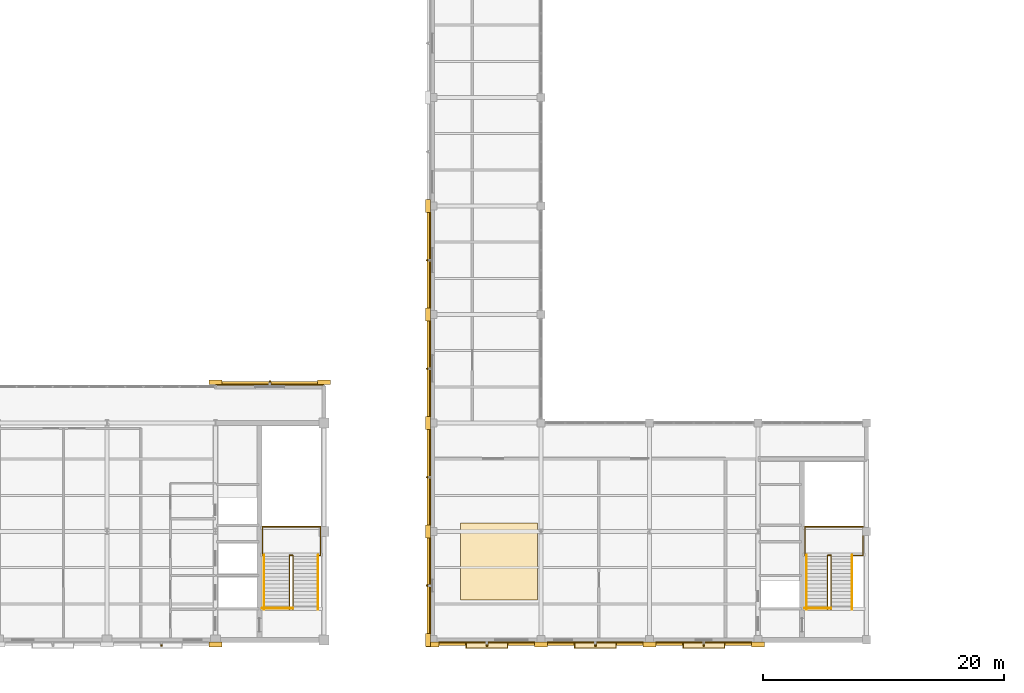
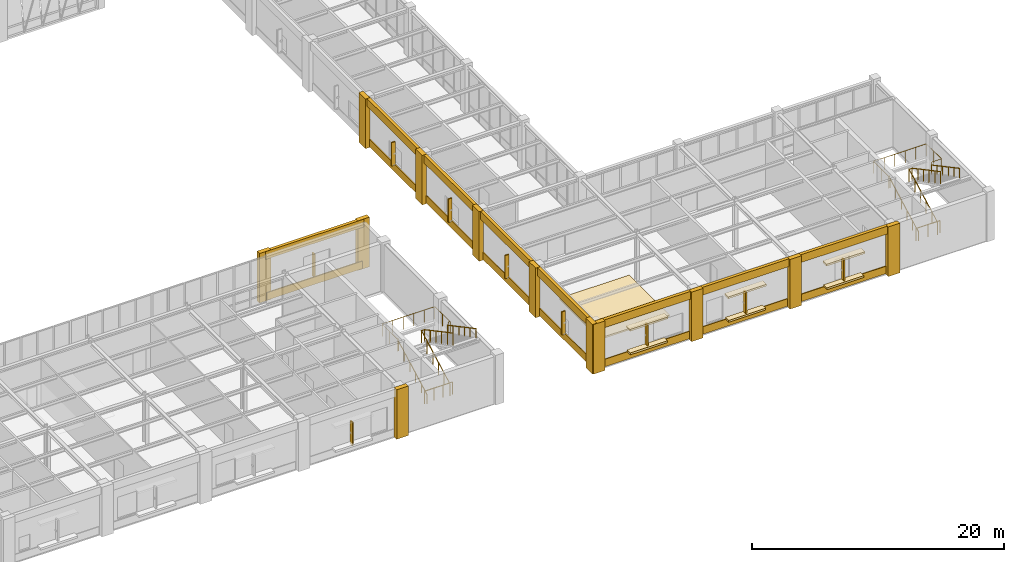
# One storey, part 94 of 98: 35 coverings, 10 railings, 9 shading devices.
"""IFC4 building model written with IfcOpenShell, lengths in metres."""

from ifc_helpers import new_model, si_unit, direction, frame, origin, origin_2d, place, context, subcontext, project, spatial, rectangle, circle, extrude, material, layer, layer_set, type_object, element, save


model = new_model("IFC4")

# Units and contexts
model_context = context("Model", 3, precision=1e-05, world=origin(), true_north=direction((0.0, 1.0)))
body_context = subcontext(model_context, "Body", "Model", "MODEL_VIEW")
ifc_project = project(units=[si_unit("LENGTHUNIT", "METRE"), si_unit("AREAUNIT", "SQUARE_METRE"), si_unit("VOLUMEUNIT", "CUBIC_METRE"), si_unit("PLANEANGLEUNIT", "RADIAN"), si_unit("MASSUNIT", "GRAM", prefix="KILO")], contexts=[model_context])

# Site, building, storey
site_placement = place(None, origin())
site = spatial("IfcSite", under=ifc_project, at=site_placement, CompositionType="ELEMENT")
building_placement = place(site_placement, origin())
building = spatial("IfcBuilding", under=site, at=building_placement, Name="Lykobir Media Centre", CompositionType="ELEMENT")
storey_placement = place(building_placement, frame((0.0, 0.0, 10.199951171875)))
storey = spatial("IfcBuildingStorey", under=building, at=storey_placement, Name="L02", CompositionType="ELEMENT", Elevation=10.199951171875)

# Coverings
ifc_material_1 = material(Name="Glazed Turquoise Terracotta", Category="masonry")
ifc_layer_1 = layer(ifc_material_1, 0.0400390625, Name="Glazed Turquoise Terracotta")
ifc_layer_set_1 = layer_set([ifc_layer_1], Name="Glazed Turquoise Terracotta")
covering_type_1 = type_object("IfcCoveringType", Name="CLD-TERR", PredefinedType="CLADDING", material=ifc_layer_set_1)
covering_1_placement = place(storey_placement, frame((76.5, 21.180908203125, 0.080078125), z_axis=(0.0, 0.0, 1.0), x_axis=(-1.0, 0.0, 0.0)))
element("IfcCovering", 1, at=covering_1_placement, inside=storey, type_object=covering_type_1, Name="Facade spandrel apron 331", PredefinedType="CLADDING", context=body_context, shape_type="SweptSolid", body=[
    extrude(rectangle(XDim=8.75, YDim=0.10009765625, at=origin_2d()), origin(), (0.0, 0.0, 1.0), 0.719970703125),
])
for number, where, z_axis, x_axis, name in (
    (2, (89.819091796875, 22.5, 0.080078125), (0.0, 0.0, 1.0), (0.0, -1.0, 0.0), "Facade spandrel apron 381"),
    (3, (89.819091796875, 31.5, 0.080078125), (0.0, 0.0, 1.0), (0.0, -1.0, 0.0), "Facade spandrel apron 384"),
    (4, (89.819091796875, 4.5, 0.080078125), (0.0, 0.0, 1.0), (0.0, -1.0, 0.0), "Facade spandrel apron 400"),
    (5, (89.819091796875, 13.5, 0.080078125), (0.0, 0.0, 1.0), (0.0, -1.0, 0.0), "Facade spandrel apron 402"),
    (6, (94.5, -0.180908203125, 0.080078125), (0.0, 0.0, 1.0), (1.0, 0.0, 0.0), "Facade spandrel apron 406"),
    (7, (103.5, -0.180908203125, 0.080078125), (0.0, 0.0, 1.0), (1.0, 0.0, 0.0), "Facade spandrel apron 411"),
    (8, (112.5, -0.180908203125, 0.080078125), (0.0, 0.0, 1.0), (1.0, 0.0, 0.0), "Facade spandrel apron 416"),
):
    element("IfcCovering", number, at=place(storey_placement, frame(where, z_axis=z_axis, x_axis=x_axis)), inside=storey, type_object=covering_type_1, Name=name, PredefinedType="CLADDING", context=body_context, shape_type="SweptSolid", body=[
        extrude(rectangle(XDim=7.929931640625, YDim=0.10009765625, at=origin_2d()), origin(), (0.0, 0.0, 1.0), 0.719970703125),
    ])
ifc_material_2 = material(Name="Honed Travertine Stone", Category="masonry")
ifc_layer_2 = layer(ifc_material_2, 0.050048828125, Name="Honed Travertine Stone")
ifc_layer_set_2 = layer_set([ifc_layer_2], Name="Honed Travertine Stone")
covering_type_2 = type_object("IfcCoveringType", Name="CLD-TRAV", PredefinedType="CLADDING", material=ifc_layer_set_2)
for number, where, z_axis, x_axis, name in (
    (9, (72.0, -0.3798828125, 0.0), (0.0, 0.0, 1.0), (1.0, 0.0, 0.0), "Travertine column pier 323"),
    (10, (81.0, 21.3798828125, 0.0), (0.0, 0.0, 1.0), (-1.0, 0.0, 0.0), "Travertine column pier 328"),
    (11, (72.0, 21.3798828125, 0.0), (0.0, 0.0, 1.0), (-1.0, 0.0, 0.0), "Travertine column pier 329"),
):
    element("IfcCovering", number, at=place(storey_placement, frame(where, z_axis=z_axis, x_axis=x_axis)), inside=storey, type_object=covering_type_2, Name=name, PredefinedType="CLADDING", context=body_context, shape_type="SweptSolid", body=[
        extrude(rectangle(XDim=1.06005859375, YDim=0.39990234375, at=origin_2d()), origin(), (0.0, 0.0, 1.0), 4.800048828125),
    ])
covering_2_placement = place(storey_placement, frame((76.5, 21.300048828125, 4.0400390625), z_axis=(0.0, 0.0, 1.0), x_axis=(-1.0, 0.0, 0.0)))
element("IfcCovering", 12, at=covering_2_placement, inside=storey, type_object=covering_type_2, Name="Travertine spandrel stringcourse 330", PredefinedType="CLADDING", context=body_context, shape_type="SweptSolid", body=[
    extrude(rectangle(XDim=9.0, YDim=0.280029296875, at=origin_2d()), origin(), (0.0, 0.0, 1.0), 0.760009765625),
])
for number, where, z_axis, x_axis, name in (
    (13, (89.6201171875, 27.0, 0.0), (0.0, 0.0, 1.0), (0.0, -1.0, 0.0), "Travertine column pier 378"),
    (14, (89.6201171875, 18.0, 0.0), (0.0, 0.0, 1.0), (0.0, -1.0, 0.0), "Travertine column pier 379"),
):
    element("IfcCovering", number, at=place(storey_placement, frame(where, z_axis=z_axis, x_axis=x_axis)), inside=storey, type_object=covering_type_2, Name=name, PredefinedType="CLADDING", context=body_context, shape_type="SweptSolid", body=[
        extrude(rectangle(XDim=1.06005859375, YDim=0.39990234375, at=origin_2d()), origin(), (0.0, 0.0, 1.0), 4.800048828125),
    ])
covering_3_placement = place(storey_placement, frame((89.699951171875, 22.5, 4.0400390625), z_axis=(0.0, 0.0, 1.0), x_axis=(0.0, -1.0, 0.0)))
element("IfcCovering", 15, at=covering_3_placement, inside=storey, type_object=covering_type_2, Name="Travertine spandrel stringcourse 380", PredefinedType="CLADDING", context=body_context, shape_type="SweptSolid", body=[
    extrude(rectangle(XDim=9.0, YDim=0.280029296875, at=origin_2d()), origin(), (0.0, 0.0, 1.0), 0.760009765625),
])
covering_4_placement = place(storey_placement, frame((89.6201171875, 36.0, 0.0), z_axis=(0.0, 0.0, 1.0), x_axis=(0.0, -1.0, 0.0)))
element("IfcCovering", 16, at=covering_4_placement, inside=storey, type_object=covering_type_2, Name="Travertine column pier 382", PredefinedType="CLADDING", context=body_context, shape_type="SweptSolid", body=[
    extrude(rectangle(XDim=1.06005859375, YDim=0.39990234375, at=origin_2d()), origin(), (0.0, 0.0, 1.0), 4.800048828125),
])
covering_5_placement = place(storey_placement, frame((89.699951171875, 31.5, 4.0400390625), z_axis=(0.0, 0.0, 1.0), x_axis=(0.0, -1.0, 0.0)))
element("IfcCovering", 17, at=covering_5_placement, inside=storey, type_object=covering_type_2, Name="Travertine spandrel stringcourse 383", PredefinedType="CLADDING", context=body_context, shape_type="SweptSolid", body=[
    extrude(rectangle(XDim=9.0, YDim=0.280029296875, at=origin_2d()), origin(), (0.0, 0.0, 1.0), 0.760009765625),
])
for number, where, z_axis, x_axis, name in (
    (18, (89.6201171875, 9.0, 0.0), (0.0, 0.0, 1.0), (0.0, -1.0, 0.0), "Travertine column pier 397"),
    (19, (89.6201171875, 0.0, 0.0), (0.0, 0.0, 1.0), (0.0, -1.0, 0.0), "Travertine column pier 398"),
):
    element("IfcCovering", number, at=place(storey_placement, frame(where, z_axis=z_axis, x_axis=x_axis)), inside=storey, type_object=covering_type_2, Name=name, PredefinedType="CLADDING", context=body_context, shape_type="SweptSolid", body=[
        extrude(rectangle(XDim=1.06005859375, YDim=0.39990234375, at=origin_2d()), origin(), (0.0, 0.0, 1.0), 4.800048828125),
    ])
for number, where, z_axis, x_axis, name in (
    (20, (89.699951171875, 4.5, 4.0400390625), (0.0, 0.0, 1.0), (0.0, -1.0, 0.0), "Travertine spandrel stringcourse 399"),
    (21, (89.699951171875, 13.5, 4.0400390625), (0.0, 0.0, 1.0), (0.0, -1.0, 0.0), "Travertine spandrel stringcourse 401"),
):
    element("IfcCovering", number, at=place(storey_placement, frame(where, z_axis=z_axis, x_axis=x_axis)), inside=storey, type_object=covering_type_2, Name=name, PredefinedType="CLADDING", context=body_context, shape_type="SweptSolid", body=[
        extrude(rectangle(XDim=9.0, YDim=0.280029296875, at=origin_2d()), origin(), (0.0, 0.0, 1.0), 0.760009765625),
    ])
for number, where, z_axis, x_axis, name in (
    (22, (90.0, -0.3798828125, 0.0), (0.0, 0.0, 1.0), (1.0, 0.0, 0.0), "Travertine column pier 403"),
    (23, (99.0, -0.3798828125, 0.0), (0.0, 0.0, 1.0), (1.0, 0.0, 0.0), "Travertine column pier 404"),
):
    element("IfcCovering", number, at=place(storey_placement, frame(where, z_axis=z_axis, x_axis=x_axis)), inside=storey, type_object=covering_type_2, Name=name, PredefinedType="CLADDING", context=body_context, shape_type="SweptSolid", body=[
        extrude(rectangle(XDim=1.06005859375, YDim=0.39990234375, at=origin_2d()), origin(), (0.0, 0.0, 1.0), 4.800048828125),
    ])
covering_6_placement = place(storey_placement, frame((94.5, -0.300048828125, 4.0400390625), z_axis=(0.0, 0.0, 1.0), x_axis=(1.0, 0.0, 0.0)))
element("IfcCovering", 24, at=covering_6_placement, inside=storey, type_object=covering_type_2, Name="Travertine spandrel stringcourse 405", PredefinedType="CLADDING", context=body_context, shape_type="SweptSolid", body=[
    extrude(rectangle(XDim=9.0, YDim=0.280029296875, at=origin_2d()), origin(), (0.0, 0.0, 1.0), 0.760009765625),
])
covering_7_placement = place(storey_placement, frame((94.5, -0.4150390625, 0.77001953125), z_axis=(0.0, 0.0, 1.0), x_axis=(1.0, 0.0, 0.0)))
element("IfcCovering", 25, at=covering_7_placement, inside=storey, type_object=covering_type_2, Name="Ottoman Cumba sill 407", PredefinedType="CLADDING", context=body_context, shape_type="SweptSolid", body=[
    extrude(rectangle(XDim=3.39990234375, YDim=0.52001953125, at=origin_2d()), origin(), (0.0, 0.0, 1.0), 0.179931640625),
])
covering_8_placement = place(storey_placement, frame((94.5, -0.4150390625, 3.08984375), z_axis=(0.0, 0.0, 1.0), x_axis=(1.0, 0.0, 0.0)))
element("IfcCovering", 26, at=covering_8_placement, inside=storey, type_object=covering_type_2, Name="Ottoman Cumba canopy 408", PredefinedType="CLADDING", context=body_context, shape_type="SweptSolid", body=[
    extrude(rectangle(XDim=3.5, YDim=0.60009765625, at=origin_2d()), origin(), (0.0, 0.0, 1.0), 0.179931640625),
])
covering_9_placement = place(storey_placement, frame((108.0, -0.3798828125, 0.0), z_axis=(0.0, 0.0, 1.0), x_axis=(1.0, 0.0, 0.0)))
element("IfcCovering", 27, at=covering_9_placement, inside=storey, type_object=covering_type_2, Name="Travertine column pier 409", PredefinedType="CLADDING", context=body_context, shape_type="SweptSolid", body=[
    extrude(rectangle(XDim=1.06005859375, YDim=0.39990234375, at=origin_2d()), origin(), (0.0, 0.0, 1.0), 4.800048828125),
])
covering_10_placement = place(storey_placement, frame((103.5, -0.300048828125, 4.0400390625), z_axis=(0.0, 0.0, 1.0), x_axis=(1.0, 0.0, 0.0)))
element("IfcCovering", 28, at=covering_10_placement, inside=storey, type_object=covering_type_2, Name="Travertine spandrel stringcourse 410", PredefinedType="CLADDING", context=body_context, shape_type="SweptSolid", body=[
    extrude(rectangle(XDim=9.0, YDim=0.280029296875, at=origin_2d()), origin(), (0.0, 0.0, 1.0), 0.760009765625),
])
covering_11_placement = place(storey_placement, frame((103.5, -0.4150390625, 0.77001953125), z_axis=(0.0, 0.0, 1.0), x_axis=(1.0, 0.0, 0.0)))
element("IfcCovering", 29, at=covering_11_placement, inside=storey, type_object=covering_type_2, Name="Ottoman Cumba sill 412", PredefinedType="CLADDING", context=body_context, shape_type="SweptSolid", body=[
    extrude(rectangle(XDim=3.39990234375, YDim=0.52001953125, at=origin_2d()), origin(), (0.0, 0.0, 1.0), 0.179931640625),
])
covering_12_placement = place(storey_placement, frame((103.5, -0.4150390625, 3.08984375), z_axis=(0.0, 0.0, 1.0), x_axis=(1.0, 0.0, 0.0)))
element("IfcCovering", 30, at=covering_12_placement, inside=storey, type_object=covering_type_2, Name="Ottoman Cumba canopy 413", PredefinedType="CLADDING", context=body_context, shape_type="SweptSolid", body=[
    extrude(rectangle(XDim=3.5, YDim=0.60009765625, at=origin_2d()), origin(), (0.0, 0.0, 1.0), 0.179931640625),
])
covering_13_placement = place(storey_placement, frame((117.0, -0.3798828125, 0.0), z_axis=(0.0, 0.0, 1.0), x_axis=(1.0, 0.0, 0.0)))
element("IfcCovering", 31, at=covering_13_placement, inside=storey, type_object=covering_type_2, Name="Travertine column pier 414", PredefinedType="CLADDING", context=body_context, shape_type="SweptSolid", body=[
    extrude(rectangle(XDim=1.06005859375, YDim=0.39990234375, at=origin_2d()), origin(), (0.0, 0.0, 1.0), 4.800048828125),
])
covering_14_placement = place(storey_placement, frame((112.5, -0.300048828125, 4.0400390625), z_axis=(0.0, 0.0, 1.0), x_axis=(1.0, 0.0, 0.0)))
element("IfcCovering", 32, at=covering_14_placement, inside=storey, type_object=covering_type_2, Name="Travertine spandrel stringcourse 415", PredefinedType="CLADDING", context=body_context, shape_type="SweptSolid", body=[
    extrude(rectangle(XDim=9.0, YDim=0.280029296875, at=origin_2d()), origin(), (0.0, 0.0, 1.0), 0.760009765625),
])
covering_15_placement = place(storey_placement, frame((112.5, -0.4150390625, 0.77001953125), z_axis=(0.0, 0.0, 1.0), x_axis=(1.0, 0.0, 0.0)))
element("IfcCovering", 33, at=covering_15_placement, inside=storey, type_object=covering_type_2, Name="Ottoman Cumba sill 417", PredefinedType="CLADDING", context=body_context, shape_type="SweptSolid", body=[
    extrude(rectangle(XDim=3.39990234375, YDim=0.52001953125, at=origin_2d()), origin(), (0.0, 0.0, 1.0), 0.179931640625),
])
covering_16_placement = place(storey_placement, frame((112.5, -0.4150390625, 3.08984375), z_axis=(0.0, 0.0, 1.0), x_axis=(1.0, 0.0, 0.0)))
element("IfcCovering", 34, at=covering_16_placement, inside=storey, type_object=covering_type_2, Name="Ottoman Cumba canopy 418", PredefinedType="CLADDING", context=body_context, shape_type="SweptSolid", body=[
    extrude(rectangle(XDim=3.5, YDim=0.60009765625, at=origin_2d()), origin(), (0.0, 0.0, 1.0), 0.179931640625),
])
ifc_material_3 = material(Name="Acoustic Timber Panelling", Category="wood")
ifc_layer_3 = layer(ifc_material_3, 0.14990234375, Name="Acoustic Timber Panelling")
ifc_layer_set_3 = layer_set([ifc_layer_3], Name="Acoustic Timber Panelling")
covering_type_3 = type_object("IfcCoveringType", Name="COV-FLR-150", PredefinedType="FLOORING", material=ifc_layer_set_3)
covering_17_placement = place(storey_placement, frame((95.5, 6.5, 0.0), z_axis=(0.0, 0.0, 1.0), x_axis=(1.0, 0.0, 0.0)))
element("IfcCovering", 35, at=covering_17_placement, inside=storey, type_object=covering_type_3, Name="L02 floating studio acoustic floor 3", PredefinedType="FLOORING", context=body_context, shape_type="SweptSolid", body=[
    extrude(rectangle(XDim=6.39990234375, YDim=6.39990234375, at=origin_2d()), origin(), (0.0, 0.0, 1.0), 0.14990234375),
])

# Railings
ifc_material_4 = material(Name="Steel S355", Category="steel")
railing_type_1 = type_object("IfcRailingType", Name="GR-1200", PredefinedType="BALUSTRADE", material=ifc_material_4)
railing_1_placement = place(storey_placement, frame((75.8701171875, 2.6298828125, 0.0)))
element("IfcRailing", 36, at=railing_1_placement, inside=storey, type_object=railing_type_1, Name="ST-2 L02 arrival well guard", PredefinedType="BALUSTRADE", context=body_context, shape_type="SweptSolid", body=[
    extrude(circle(Radius=0.02392578125, at=origin_2d()), frame((0.0, 0.0, 1.17578125), z_axis=(1.0, 0.0, 0.0), x_axis=(0.0, 1.0, 0.0)), (0.0, 0.0, 1.0), 2.539794921875),
    extrude(circle(Radius=0.02099609375, at=origin_2d()), origin(), (0.0, 0.0, 1.0), 1.15185546875),
    extrude(circle(Radius=0.02099609375, at=origin_2d()), frame((0.8466796875, 0.0, 0.0)), (0.0, 0.0, 1.0), 1.15185546875),
    extrude(circle(Radius=0.02099609375, at=origin_2d()), frame((1.693115234375, 0.0, 0.0)), (0.0, 0.0, 1.0), 1.15185546875),
    extrude(circle(Radius=0.02099609375, at=origin_2d()), frame((2.539794921875, 0.0, 0.0)), (0.0, 0.0, 1.0), 1.15185546875),
])
railing_2_placement = place(storey_placement, frame((78.1298828125, 2.530029296875, 0.0)))
element("IfcRailing", 37, at=railing_2_placement, inside=storey, type_object=railing_type_1, Name="ST-2 L02 inner well and slot guard", PredefinedType="BALUSTRADE", context=body_context, shape_type="SweptSolid", body=[
    extrude(circle(Radius=0.02392578125, at=origin_2d()), frame((0.0, 0.0, 1.17578125), z_axis=(0.0, 0.882341014787, 0.470610596591), x_axis=(-1.0, 0.0, 0.0)), (0.0, 0.0, 1.0), 5.10009765625),
    extrude(circle(Radius=0.02392578125, at=origin_2d()), frame((0.0, 4.5, 3.576171875), z_axis=(1.0, 0.0, 0.0), x_axis=(0.0, 1.0, 0.0)), (0.0, 0.0, 1.0), 0.280029296875),
    extrude(circle(Radius=0.02392578125, at=origin_2d()), frame((0.280029296875, 4.5, 3.576171875), z_axis=(0.0, -0.882360891967, 0.470573327259), x_axis=(1.0, 0.0, 0.0)), (0.0, 0.0, 1.0), 5.099853515625),
    extrude(circle(Radius=0.02099609375, at=origin_2d()), origin(), (0.0, 0.0, 1.0), 1.15185546875),
    extrude(circle(Radius=0.02099609375, at=origin_2d()), frame((0.0, 0.89990234375, 0.47998046875)), (0.0, 0.0, 1.0), 1.15185546875),
    extrude(circle(Radius=0.02099609375, at=origin_2d()), frame((0.0, 1.800048828125, 0.9599609375)), (0.0, 0.0, 1.0), 1.15185546875),
    extrude(circle(Radius=0.02099609375, at=origin_2d()), frame((0.0, 2.699951171875, 1.440185546875)), (0.0, 0.0, 1.0), 1.15185546875),
    extrude(circle(Radius=0.02099609375, at=origin_2d()), frame((0.0, 3.60009765625, 1.920166015625)), (0.0, 0.0, 1.0), 1.15185546875),
    extrude(circle(Radius=0.02099609375, at=origin_2d()), frame((0.0, 4.5, 2.400146484375)), (0.0, 0.0, 1.0), 1.15185546875),
    extrude(circle(Radius=0.02099609375, at=origin_2d()), frame((0.280029296875, 4.5, 2.400146484375)), (0.0, 0.0, 1.0), 1.15185546875),
    extrude(circle(Radius=0.02099609375, at=origin_2d()), frame((0.280029296875, 3.60009765625, 2.880126953125)), (0.0, 0.0, 1.0), 1.15185546875),
    extrude(circle(Radius=0.02099609375, at=origin_2d()), frame((0.280029296875, 2.699951171875, 3.360107421875)), (0.0, 0.0, 1.0), 1.15185546875),
    extrude(circle(Radius=0.02099609375, at=origin_2d()), frame((0.280029296875, 1.800048828125, 3.840087890625)), (0.0, 0.0, 1.0), 1.15185546875),
    extrude(circle(Radius=0.02099609375, at=origin_2d()), frame((0.280029296875, 0.89990234375, 4.320068359375)), (0.0, 0.0, 1.0), 1.15185546875),
    extrude(circle(Radius=0.02099609375, at=origin_2d()), frame((0.280029296875, 0.0, 4.800048828125)), (0.0, 0.0, 1.0), 1.15185546875),
])
railing_3_placement = place(storey_placement, frame((75.989990234375, 6.989990234375, 2.400146484375)))
element("IfcRailing", 38, at=railing_3_placement, inside=storey, type_object=railing_type_1, Name="ST-2 L02 half-landing perimeter guard", PredefinedType="BALUSTRADE", context=body_context, shape_type="SweptSolid", body=[
    extrude(circle(Radius=0.02392578125, at=origin_2d()), frame((0.0, 0.0, 1.17578125), z_axis=(-1.0, 0.0, 0.0), x_axis=(0.0, -1.0, 0.0)), (0.0, 0.0, 1.0), 0.110107421875),
    extrude(circle(Radius=0.02392578125, at=origin_2d()), frame((-0.110107421875, 0.0, 1.17578125), z_axis=(0.0, 1.0, 0.0), x_axis=(-1.0, 0.0, 0.0)), (0.0, 0.0, 1.0), 2.39990234375),
    extrude(circle(Radius=0.02392578125, at=origin_2d()), frame((-0.110107421875, 2.39990234375, 1.17578125), z_axis=(1.0, 0.0, 0.0), x_axis=(0.0, 1.0, 0.0)), (0.0, 0.0, 1.0), 4.840087890625),
    extrude(circle(Radius=0.02392578125, at=origin_2d()), frame((4.72998046875, 2.39990234375, 1.17578125), z_axis=(0.0, -1.0, 0.0), x_axis=(1.0, 0.0, 0.0)), (0.0, 0.0, 1.0), 2.39990234375),
    extrude(circle(Radius=0.02392578125, at=origin_2d()), frame((4.72998046875, 0.0, 1.17578125), z_axis=(-1.0, 0.0, 0.0), x_axis=(0.0, -1.0, 0.0)), (0.0, 0.0, 1.0), 0.169921875),
    extrude(circle(Radius=0.02099609375, at=origin_2d()), origin(), (0.0, 0.0, 1.0), 1.15185546875),
    extrude(circle(Radius=0.02099609375, at=origin_2d()), frame((-0.110107421875, 0.0, 0.0)), (0.0, 0.0, 1.0), 1.15185546875),
    extrude(circle(Radius=0.02099609375, at=origin_2d()), frame((-0.110107421875, 1.199951171875, 0.0)), (0.0, 0.0, 1.0), 1.15185546875),
    extrude(circle(Radius=0.02099609375, at=origin_2d()), frame((-0.110107421875, 2.39990234375, 0.0)), (0.0, 0.0, 1.0), 1.15185546875),
    extrude(circle(Radius=0.02099609375, at=origin_2d()), frame((0.85791015625, 2.39990234375, 0.0)), (0.0, 0.0, 1.0), 1.15185546875),
    extrude(circle(Radius=0.02099609375, at=origin_2d()), frame((1.825927734375, 2.39990234375, 0.0)), (0.0, 0.0, 1.0), 1.15185546875),
    extrude(circle(Radius=0.02099609375, at=origin_2d()), frame((2.7939453125, 2.39990234375, 0.0)), (0.0, 0.0, 1.0), 1.15185546875),
    extrude(circle(Radius=0.02099609375, at=origin_2d()), frame((3.761962890625, 2.39990234375, 0.0)), (0.0, 0.0, 1.0), 1.15185546875),
    extrude(circle(Radius=0.02099609375, at=origin_2d()), frame((4.72998046875, 2.39990234375, 0.0)), (0.0, 0.0, 1.0), 1.15185546875),
    extrude(circle(Radius=0.02099609375, at=origin_2d()), frame((4.72998046875, 1.199951171875, 0.0)), (0.0, 0.0, 1.0), 1.15185546875),
    extrude(circle(Radius=0.02099609375, at=origin_2d()), frame((4.72998046875, 0.0, 0.0)), (0.0, 0.0, 1.0), 1.15185546875),
    extrude(circle(Radius=0.02099609375, at=origin_2d()), frame((4.56005859375, 0.0, 0.0)), (0.0, 0.0, 1.0), 1.15185546875),
])
railing_4_placement = place(storey_placement, frame((120.8701171875, 2.6298828125, 0.0)))
element("IfcRailing", 39, at=railing_4_placement, inside=storey, type_object=railing_type_1, Name="ST-5 L02 arrival well guard", PredefinedType="BALUSTRADE", context=body_context, shape_type="SweptSolid", body=[
    extrude(circle(Radius=0.02392578125, at=origin_2d()), frame((0.0, 0.0, 1.17578125), z_axis=(1.0, 0.0, 0.0), x_axis=(0.0, 1.0, 0.0)), (0.0, 0.0, 1.0), 2.18994140625),
    extrude(circle(Radius=0.02099609375, at=origin_2d()), origin(), (0.0, 0.0, 1.0), 1.15185546875),
    extrude(circle(Radius=0.02099609375, at=origin_2d()), frame((1.094970703125, 0.0, 0.0)), (0.0, 0.0, 1.0), 1.15185546875),
    extrude(circle(Radius=0.02099609375, at=origin_2d()), frame((2.18994140625, 0.0, 0.0)), (0.0, 0.0, 1.0), 1.15185546875),
])
railing_5_placement = place(storey_placement, frame((122.780029296875, 2.530029296875, 0.0)))
element("IfcRailing", 40, at=railing_5_placement, inside=storey, type_object=railing_type_1, Name="ST-5 L02 inner well and slot guard", PredefinedType="BALUSTRADE", context=body_context, shape_type="SweptSolid", body=[
    extrude(circle(Radius=0.02392578125, at=origin_2d()), frame((0.0, 0.0, 1.17578125), z_axis=(0.0, 0.882341014787, 0.470610596591), x_axis=(-1.0, 0.0, 0.0)), (0.0, 0.0, 1.0), 5.10009765625),
    extrude(circle(Radius=0.02392578125, at=origin_2d()), frame((0.0, 4.5, 3.576171875), z_axis=(1.0, 0.0, 0.0), x_axis=(0.0, 1.0, 0.0)), (0.0, 0.0, 1.0), 0.280029296875),
    extrude(circle(Radius=0.02392578125, at=origin_2d()), frame((0.280029296875, 4.5, 3.576171875), z_axis=(0.0, -0.882360891967, 0.470573327259), x_axis=(1.0, 0.0, 0.0)), (0.0, 0.0, 1.0), 5.099853515625),
    extrude(circle(Radius=0.02099609375, at=origin_2d()), origin(), (0.0, 0.0, 1.0), 1.15185546875),
    extrude(circle(Radius=0.02099609375, at=origin_2d()), frame((0.0, 0.89990234375, 0.47998046875)), (0.0, 0.0, 1.0), 1.15185546875),
    extrude(circle(Radius=0.02099609375, at=origin_2d()), frame((0.0, 1.800048828125, 0.9599609375)), (0.0, 0.0, 1.0), 1.15185546875),
    extrude(circle(Radius=0.02099609375, at=origin_2d()), frame((0.0, 2.699951171875, 1.440185546875)), (0.0, 0.0, 1.0), 1.15185546875),
    extrude(circle(Radius=0.02099609375, at=origin_2d()), frame((0.0, 3.60009765625, 1.920166015625)), (0.0, 0.0, 1.0), 1.15185546875),
    extrude(circle(Radius=0.02099609375, at=origin_2d()), frame((0.0, 4.5, 2.400146484375)), (0.0, 0.0, 1.0), 1.15185546875),
    extrude(circle(Radius=0.02099609375, at=origin_2d()), frame((0.280029296875, 4.5, 2.400146484375)), (0.0, 0.0, 1.0), 1.15185546875),
    extrude(circle(Radius=0.02099609375, at=origin_2d()), frame((0.280029296875, 3.60009765625, 2.880126953125)), (0.0, 0.0, 1.0), 1.15185546875),
    extrude(circle(Radius=0.02099609375, at=origin_2d()), frame((0.280029296875, 2.699951171875, 3.360107421875)), (0.0, 0.0, 1.0), 1.15185546875),
    extrude(circle(Radius=0.02099609375, at=origin_2d()), frame((0.280029296875, 1.800048828125, 3.840087890625)), (0.0, 0.0, 1.0), 1.15185546875),
    extrude(circle(Radius=0.02099609375, at=origin_2d()), frame((0.280029296875, 0.89990234375, 4.320068359375)), (0.0, 0.0, 1.0), 1.15185546875),
    extrude(circle(Radius=0.02099609375, at=origin_2d()), frame((0.280029296875, 0.0, 4.800048828125)), (0.0, 0.0, 1.0), 1.15185546875),
])
railing_6_placement = place(storey_placement, frame((120.989990234375, 6.989990234375, 2.400146484375)))
element("IfcRailing", 41, at=railing_6_placement, inside=storey, type_object=railing_type_1, Name="ST-5 L02 half-landing perimeter guard", PredefinedType="BALUSTRADE", context=body_context, shape_type="SweptSolid", body=[
    extrude(circle(Radius=0.02392578125, at=origin_2d()), frame((0.0, 0.0, 1.17578125), z_axis=(-1.0, 0.0, 0.0), x_axis=(0.0, -1.0, 0.0)), (0.0, 0.0, 1.0), 0.110107421875),
    extrude(circle(Radius=0.02392578125, at=origin_2d()), frame((-0.110107421875, 0.0, 1.17578125), z_axis=(0.0, 1.0, 0.0), x_axis=(-1.0, 0.0, 0.0)), (0.0, 0.0, 1.0), 2.39990234375),
    extrude(circle(Radius=0.02392578125, at=origin_2d()), frame((-0.110107421875, 2.39990234375, 1.17578125), z_axis=(1.0, 0.0, 0.0), x_axis=(0.0, 1.0, 0.0)), (0.0, 0.0, 1.0), 4.840087890625),
    extrude(circle(Radius=0.02392578125, at=origin_2d()), frame((4.72998046875, 2.39990234375, 1.17578125), z_axis=(0.0, -1.0, 0.0), x_axis=(1.0, 0.0, 0.0)), (0.0, 0.0, 1.0), 2.39990234375),
    extrude(circle(Radius=0.02392578125, at=origin_2d()), frame((4.72998046875, 0.0, 1.17578125), z_axis=(-1.0, 0.0, 0.0), x_axis=(0.0, -1.0, 0.0)), (0.0, 0.0, 1.0), 0.869873046875),
    extrude(circle(Radius=0.02099609375, at=origin_2d()), origin(), (0.0, 0.0, 1.0), 1.15185546875),
    extrude(circle(Radius=0.02099609375, at=origin_2d()), frame((-0.110107421875, 0.0, 0.0)), (0.0, 0.0, 1.0), 1.15185546875),
    extrude(circle(Radius=0.02099609375, at=origin_2d()), frame((-0.110107421875, 1.199951171875, 0.0)), (0.0, 0.0, 1.0), 1.15185546875),
    extrude(circle(Radius=0.02099609375, at=origin_2d()), frame((-0.110107421875, 2.39990234375, 0.0)), (0.0, 0.0, 1.0), 1.15185546875),
    extrude(circle(Radius=0.02099609375, at=origin_2d()), frame((0.85791015625, 2.39990234375, 0.0)), (0.0, 0.0, 1.0), 1.15185546875),
    extrude(circle(Radius=0.02099609375, at=origin_2d()), frame((1.825927734375, 2.39990234375, 0.0)), (0.0, 0.0, 1.0), 1.15185546875),
    extrude(circle(Radius=0.02099609375, at=origin_2d()), frame((2.7939453125, 2.39990234375, 0.0)), (0.0, 0.0, 1.0), 1.15185546875),
    extrude(circle(Radius=0.02099609375, at=origin_2d()), frame((3.761962890625, 2.39990234375, 0.0)), (0.0, 0.0, 1.0), 1.15185546875),
    extrude(circle(Radius=0.02099609375, at=origin_2d()), frame((4.72998046875, 2.39990234375, 0.0)), (0.0, 0.0, 1.0), 1.15185546875),
    extrude(circle(Radius=0.02099609375, at=origin_2d()), frame((4.72998046875, 1.199951171875, 0.0)), (0.0, 0.0, 1.0), 1.15185546875),
    extrude(circle(Radius=0.02099609375, at=origin_2d()), frame((4.72998046875, 0.0, 0.0)), (0.0, 0.0, 1.0), 1.15185546875),
    extrude(circle(Radius=0.02099609375, at=origin_2d()), frame((3.860107421875, 0.0, 0.0)), (0.0, 0.0, 1.0), 1.15185546875),
])
railing_type_2 = type_object("IfcRailingType", Name="HR-0900", PredefinedType="HANDRAIL", material=ifc_material_4)
railing_7_placement = place(storey_placement, frame((76.030029296875, 2.530029296875, 0.0)))
element("IfcRailing", 42, at=railing_7_placement, inside=storey, type_object=railing_type_2, Name="ST-2 L02 F1 wall handrail", PredefinedType="HANDRAIL", context=body_context, shape_type="SweptSolid", body=[
    extrude(circle(Radius=0.02392578125, at=origin_2d()), frame((0.0, 0.0, 0.8759765625), z_axis=(0.0, 0.882341014787, 0.470610596591), x_axis=(-1.0, 0.0, 0.0)), (0.0, 0.0, 1.0), 5.10009765625),
    extrude(circle(Radius=0.02099609375, at=origin_2d()), origin(), (0.0, 0.0, 1.0), 0.851806640625),
    extrude(circle(Radius=0.02099609375, at=origin_2d()), frame((0.0, 0.89990234375, 0.47998046875)), (0.0, 0.0, 1.0), 0.851806640625),
    extrude(circle(Radius=0.02099609375, at=origin_2d()), frame((0.0, 1.800048828125, 0.9599609375)), (0.0, 0.0, 1.0), 0.851806640625),
    extrude(circle(Radius=0.02099609375, at=origin_2d()), frame((0.0, 2.699951171875, 1.440185546875)), (0.0, 0.0, 1.0), 0.851806640625),
    extrude(circle(Radius=0.02099609375, at=origin_2d()), frame((0.0, 3.60009765625, 1.920166015625)), (0.0, 0.0, 1.0), 0.851806640625),
    extrude(circle(Radius=0.02099609375, at=origin_2d()), frame((0.0, 4.5, 2.400146484375)), (0.0, 0.0, 1.0), 0.851806640625),
])
railing_8_placement = place(storey_placement, frame((80.510009765625, 7.030029296875, 2.400146484375)))
element("IfcRailing", 43, at=railing_8_placement, inside=storey, type_object=railing_type_2, Name="ST-2 L02 F2 wall handrail", PredefinedType="HANDRAIL", context=body_context, shape_type="SweptSolid", body=[
    extrude(circle(Radius=0.02392578125, at=origin_2d()), frame((0.0, 0.0, 0.8759765625), z_axis=(0.0, -0.882360891967, 0.470573327259), x_axis=(1.0, 0.0, 0.0)), (0.0, 0.0, 1.0), 5.099853515625),
    extrude(circle(Radius=0.02099609375, at=origin_2d()), origin(), (0.0, 0.0, 1.0), 0.851806640625),
    extrude(circle(Radius=0.02099609375, at=origin_2d()), frame((0.0, -0.89990234375, 0.47998046875)), (0.0, 0.0, 1.0), 0.851806640625),
    extrude(circle(Radius=0.02099609375, at=origin_2d()), frame((0.0, -1.800048828125, 0.9599609375)), (0.0, 0.0, 1.0), 0.851806640625),
    extrude(circle(Radius=0.02099609375, at=origin_2d()), frame((0.0, -2.699951171875, 1.43994140625)), (0.0, 0.0, 1.0), 0.851806640625),
    extrude(circle(Radius=0.02099609375, at=origin_2d()), frame((0.0, -3.60009765625, 1.919921875)), (0.0, 0.0, 1.0), 0.851806640625),
    extrude(circle(Radius=0.02099609375, at=origin_2d()), frame((0.0, -4.5, 2.39990234375)), (0.0, 0.0, 1.0), 0.851806640625),
])
railing_9_placement = place(storey_placement, frame((121.030029296875, 2.530029296875, 0.0)))
element("IfcRailing", 44, at=railing_9_placement, inside=storey, type_object=railing_type_2, Name="ST-5 L02 F1 wall handrail", PredefinedType="HANDRAIL", context=body_context, shape_type="SweptSolid", body=[
    extrude(circle(Radius=0.02392578125, at=origin_2d()), frame((0.0, 0.0, 0.8759765625), z_axis=(0.0, 0.882341014787, 0.470610596591), x_axis=(-1.0, 0.0, 0.0)), (0.0, 0.0, 1.0), 5.10009765625),
    extrude(circle(Radius=0.02099609375, at=origin_2d()), origin(), (0.0, 0.0, 1.0), 0.851806640625),
    extrude(circle(Radius=0.02099609375, at=origin_2d()), frame((0.0, 0.89990234375, 0.47998046875)), (0.0, 0.0, 1.0), 0.851806640625),
    extrude(circle(Radius=0.02099609375, at=origin_2d()), frame((0.0, 1.800048828125, 0.9599609375)), (0.0, 0.0, 1.0), 0.851806640625),
    extrude(circle(Radius=0.02099609375, at=origin_2d()), frame((0.0, 2.699951171875, 1.440185546875)), (0.0, 0.0, 1.0), 0.851806640625),
    extrude(circle(Radius=0.02099609375, at=origin_2d()), frame((0.0, 3.60009765625, 1.920166015625)), (0.0, 0.0, 1.0), 0.851806640625),
    extrude(circle(Radius=0.02099609375, at=origin_2d()), frame((0.0, 4.5, 2.400146484375)), (0.0, 0.0, 1.0), 0.851806640625),
])
railing_10_placement = place(storey_placement, frame((124.81005859375, 7.030029296875, 2.400146484375)))
element("IfcRailing", 45, at=railing_10_placement, inside=storey, type_object=railing_type_2, Name="ST-5 L02 F2 wall handrail", PredefinedType="HANDRAIL", context=body_context, shape_type="SweptSolid", body=[
    extrude(circle(Radius=0.02392578125, at=origin_2d()), frame((0.0, 0.0, 0.8759765625), z_axis=(0.0, -0.882360891967, 0.470573327259), x_axis=(1.0, 0.0, 0.0)), (0.0, 0.0, 1.0), 5.099853515625),
    extrude(circle(Radius=0.02099609375, at=origin_2d()), origin(), (0.0, 0.0, 1.0), 0.851806640625),
    extrude(circle(Radius=0.02099609375, at=origin_2d()), frame((0.0, -0.89990234375, 0.47998046875)), (0.0, 0.0, 1.0), 0.851806640625),
    extrude(circle(Radius=0.02099609375, at=origin_2d()), frame((0.0, -1.800048828125, 0.9599609375)), (0.0, 0.0, 1.0), 0.851806640625),
    extrude(circle(Radius=0.02099609375, at=origin_2d()), frame((0.0, -2.699951171875, 1.43994140625)), (0.0, 0.0, 1.0), 0.851806640625),
    extrude(circle(Radius=0.02099609375, at=origin_2d()), frame((0.0, -3.60009765625, 1.919921875)), (0.0, 0.0, 1.0), 0.851806640625),
    extrude(circle(Radius=0.02099609375, at=origin_2d()), frame((0.0, -4.5, 2.39990234375)), (0.0, 0.0, 1.0), 0.851806640625),
])

# Shading devices
shading_device_type = type_object("IfcShadingDeviceType", Name="SHD-FIN", PredefinedType="USERDEFINED", material=ifc_material_1)
for number, where, z_axis, x_axis, name in (
    (46, (67.5, -0.3349609375, 0.72509765625), (0.0, 0.0, 1.0), (1.0, 0.0, 0.0), "Terracotta shading fin 4"),
    (47, (76.5, 21.3349609375, 0.72509765625), (0.0, 0.0, 1.0), (-1.0, 0.0, 0.0), "Terracotta shading fin 5"),
    (48, (89.6650390625, 22.5, 0.72509765625), (0.0, 0.0, 1.0), (0.0, -1.0, 0.0), "Terracotta shading fin 10"),
    (49, (89.6650390625, 31.5, 0.72509765625), (0.0, 0.0, 1.0), (0.0, -1.0, 0.0), "Terracotta shading fin 11"),
    (50, (89.6650390625, 4.5, 0.72509765625), (0.0, 0.0, 1.0), (0.0, -1.0, 0.0), "Terracotta shading fin 16"),
    (51, (89.6650390625, 13.5, 0.72509765625), (0.0, 0.0, 1.0), (0.0, -1.0, 0.0), "Terracotta shading fin 17"),
    (52, (94.5, -0.3349609375, 0.72509765625), (0.0, 0.0, 1.0), (1.0, 0.0, 0.0), "Terracotta shading fin 18"),
    (53, (103.5, -0.3349609375, 0.72509765625), (0.0, 0.0, 1.0), (1.0, 0.0, 0.0), "Terracotta shading fin 19"),
    (54, (112.5, -0.3349609375, 0.72509765625), (0.0, 0.0, 1.0), (1.0, 0.0, 0.0), "Terracotta shading fin 20"),
):
    element("IfcShadingDevice", number, at=place(storey_placement, frame(where, z_axis=z_axis, x_axis=x_axis)), inside=storey, type_object=shading_device_type, Name=name, ObjectType="FIN", PredefinedType="USERDEFINED", context=body_context, shape_type="SweptSolid", body=[
        extrude(rectangle(XDim=0.1201171875, YDim=0.35009765625, at=origin_2d()), origin(), (0.0, 0.0, 1.0), 2.25),
    ])

save(model, "model.ifc")
